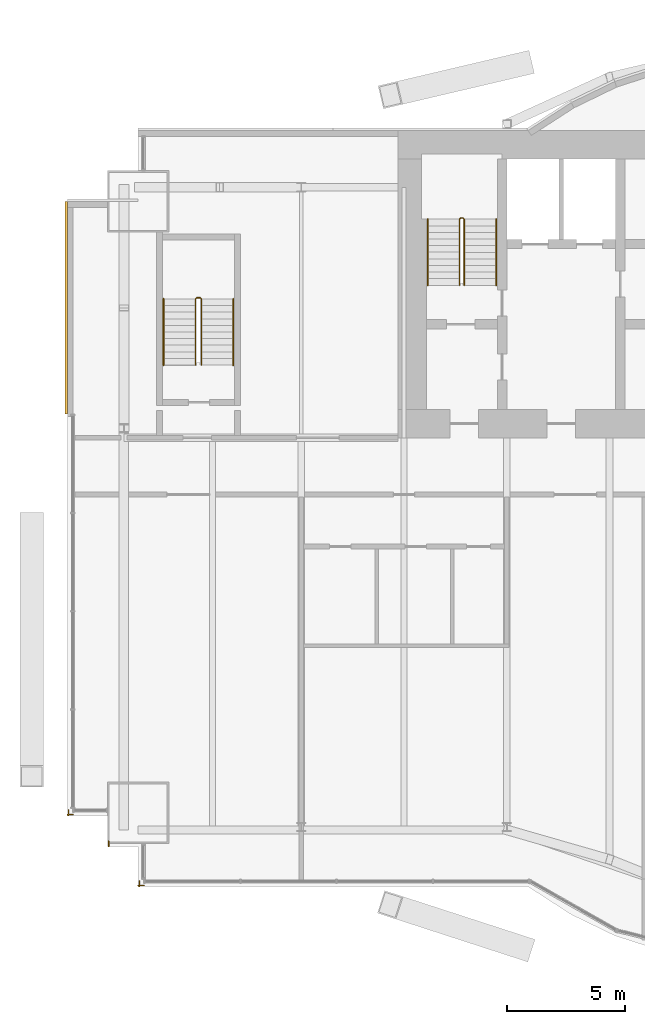
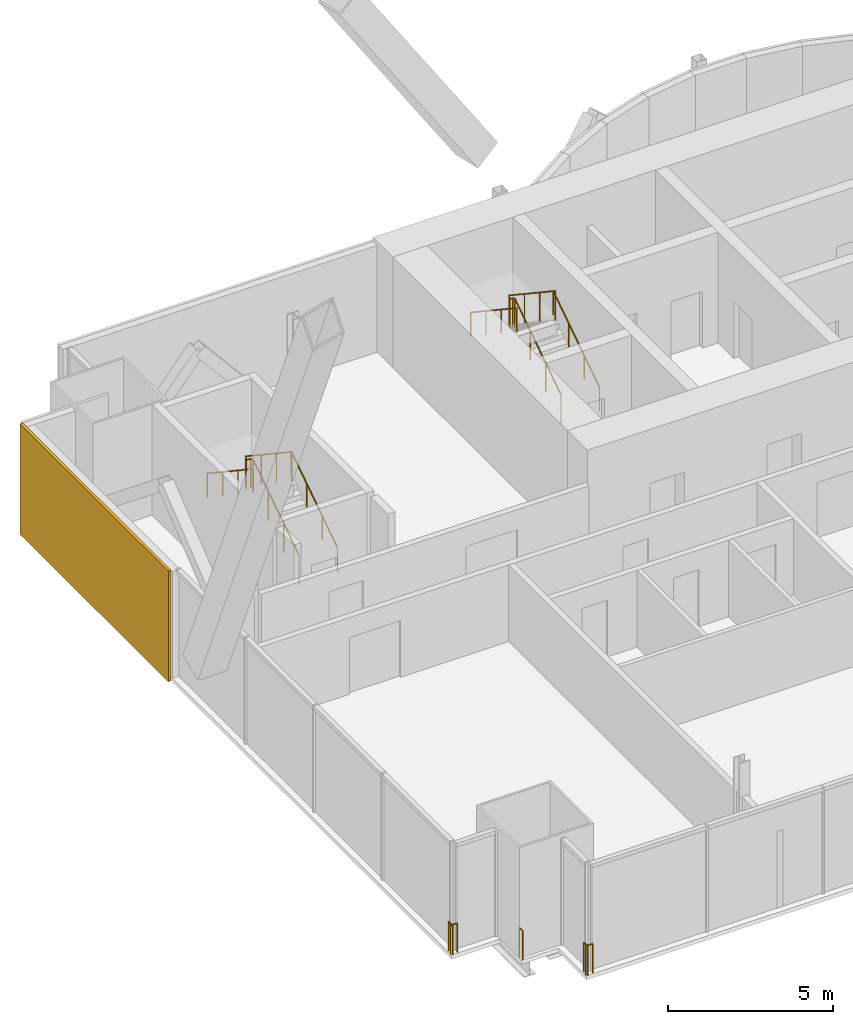
# One storey, part 22 of 24: 9 railings, 1 covering.
"""IFC4 building model written with IfcOpenShell, lengths in metres."""

import ifcopenshell
import ifcopenshell.guid

model = None  # the IFC model being written
_history = None  # IfcOwnerHistory: only IFC2X3 demands one
_inside = {}  # id of a spatial element -> (the spatial element, [elements in it])
_under = {}  # id of a project, library or spatial element -> (it, [spatial elements below it])
_declared = {}  # id of a project -> (the project, [libraries it declares])
_typed = {}  # id of a type object -> (the type object, [elements of that type])
_made_of = {}  # id of a material, layer set ... -> (it, [elements and type objects made of it])


def new_model(schema):
    """Start an empty IFC model of exactly this schema.

    Asked for "IFC4X3", IfcOpenShell would pick the latest addendum, in which some entities
    have other attributes; the version numbers below select the first issue.
    IFC2X3 requires an IfcOwnerHistory on every rooted entity: one is made here for all.
    """
    global model, _history
    if schema == "IFC4X3":
        model = ifcopenshell.file(schema_version=(4, 3, 0, 0))
    else:
        model = ifcopenshell.file(schema=schema)
    _inside.clear()
    _under.clear()
    _declared.clear()
    _typed.clear()
    _made_of.clear()
    _history = None
    if model.schema == "IFC2X3":
        org = make("IfcOrganization", Name="unknown")
        user = make(
            "IfcPersonAndOrganization",
            ThePerson=make("IfcPerson", FamilyName="unknown"),
            TheOrganization=org,
        )
        app = make(
            "IfcApplication",
            ApplicationDeveloper=org,
            Version="unknown",
            ApplicationFullName="unknown",
            ApplicationIdentifier="unknown",
        )
        _history = make(
            "IfcOwnerHistory",
            OwningUser=user,
            OwningApplication=app,
            ChangeAction="ADDED",
            CreationDate=0,
        )
    return model


def make(cls, **values):
    """One entity of the class cls with the attributes given. An attribute that is None is left unset."""
    return model.create_entity(
        cls, **{name: value for name, value in values.items() if value is not None}
    )


def rooted(cls, **values):
    """An entity with a GlobalId (a new one), such as an element, a storey or a relation."""
    return make(cls, GlobalId=ifcopenshell.guid.new(), OwnerHistory=_history, **values)


def si_unit(unit_type, name, prefix=None):
    """IfcSIUnit, for example si_unit("LENGTHUNIT", "METRE", prefix="MILLI")."""
    return make("IfcSIUnit", UnitType=unit_type, Prefix=prefix, Name=name)


def assignment(units):
    """IfcUnitAssignment: the units of a project."""
    return None if units is None else make("IfcUnitAssignment", Units=units)


def point(xyz):
    """IfcCartesianPoint."""
    return None if xyz is None else make("IfcCartesianPoint", Coordinates=xyz)


def direction(xyz):
    """IfcDirection."""
    return None if xyz is None else make("IfcDirection", DirectionRatios=xyz)


def frame(location, z_axis=None, x_axis=None):
    """IfcAxis2Placement3D, a coordinate frame: its origin and axes. An axis left out is left unset."""
    return make(
        "IfcAxis2Placement3D",
        Location=point(location),
        Axis=direction(z_axis),
        RefDirection=direction(x_axis),
    )


def frame_2d(location, x_axis=None):
    """IfcAxis2Placement2D, a coordinate frame in the plane: its origin and x axis."""
    return make(
        "IfcAxis2Placement2D", Location=point(location), RefDirection=direction(x_axis)
    )


def origin():
    """The frame at (0, 0, 0) with its axes left unset."""
    return frame((0.0, 0.0, 0.0))


def origin_2d():
    """The frame at (0, 0) in the plane with its x axis left unset."""
    return frame_2d((0.0, 0.0))


def place(relative_to, where):
    """IfcLocalPlacement: puts the frame where relative to a parent placement (None: the world)."""
    return make(
        "IfcLocalPlacement", PlacementRelTo=relative_to, RelativePlacement=where
    )


def context(
    kind, dimensions, precision=None, world=None, true_north=None, identifier=None
):
    """IfcGeometricRepresentationContext, for example the 3D "Model" context."""
    return make(
        "IfcGeometricRepresentationContext",
        ContextIdentifier=identifier,
        ContextType=kind,
        CoordinateSpaceDimension=dimensions,
        Precision=precision,
        WorldCoordinateSystem=world,
        TrueNorth=true_north,
    )


def subcontext(parent, identifier, kind, view, scale=None):
    """IfcGeometricRepresentationSubContext, for example "Body" below "Model"."""
    return make(
        "IfcGeometricRepresentationSubContext",
        ContextIdentifier=identifier,
        ContextType=kind,
        ParentContext=parent,
        TargetScale=scale,
        TargetView=view,
    )


def project(units=None, contexts=None):
    """IfcProject with its units and contexts."""
    return rooted(
        "IfcProject",
        Name="project",
        RepresentationContexts=contexts,
        UnitsInContext=assignment(units),
    )


def spatial(cls, under=None, at=None, **own):
    """A site, building, storey or space (cls), placed at a placement, below another one or the project."""
    s = rooted(cls, ObjectPlacement=at, **own)
    if under is not None:
        _under.setdefault(under.id(), (under, []))[1].append(s)
    return s


def profile(cls, at=None, kind="AREA", **sizes):
    """A parametric profile (cls). Its sizes go by their IFC names, for example OverallWidth=200.0."""
    return make(cls, ProfileType=kind, Position=at, **sizes)


def rectangle(**sizes):
    """IfcRectangleProfileDef."""
    return profile("IfcRectangleProfileDef", **sizes)


def circle(**sizes):
    """IfcCircleProfileDef."""
    return profile("IfcCircleProfileDef", **sizes)


def extrude(swept, where, along, depth):
    """IfcExtrudedAreaSolid: the profile swept, set in the frame where, extruded along a direction by depth."""
    return make(
        "IfcExtrudedAreaSolid",
        SweptArea=swept,
        Position=where,
        ExtrudedDirection=direction(along),
        Depth=depth,
    )


def shape(context_of_items, identifier, shape_type, items):
    """IfcShapeRepresentation: the items that make up one representation, for example the "Body"."""
    return make(
        "IfcShapeRepresentation",
        ContextOfItems=context_of_items,
        RepresentationIdentifier=identifier,
        RepresentationType=shape_type,
        Items=items,
    )


def material(Name=None, Category=None):
    """IfcMaterial."""
    return make("IfcMaterial", Name=Name, Category=Category)


def layer(
    of_material, thickness, ventilated=None, Name=None, Category=None, Priority=None
):
    """IfcMaterialLayer: one layer of a wall or slab, of a material (None: an air gap)."""
    return make(
        "IfcMaterialLayer",
        Material=of_material,
        LayerThickness=thickness,
        IsVentilated=ventilated,
        Name=Name,
        Category=Category,
        Priority=Priority,
    )


def layer_set(layers, Name=None):
    """IfcMaterialLayerSet."""
    return make("IfcMaterialLayerSet", MaterialLayers=layers, LayerSetName=Name)


def made_of(thing, what):
    """Note that an element or type object is made of a material, layer set ...; save() writes the relation."""
    if what is not None:
        _made_of.setdefault(what.id(), (what, []))[1].append(thing)
    return thing


def type_object(cls, material=None, **own):
    """A type object (cls), such as IfcWallType, which elements share."""
    return made_of(rooted(cls, **own), material)


def element(
    cls,
    number,
    at=None,
    inside=None,
    cuts=None,
    type_object=None,
    material=None,
    context=None,
    identifier="Body",
    shape_type=None,
    held_by="IfcProductDefinitionShape",
    body=None,
    shapes=None,
    **own,
):
    """One element of the class cls, such as IfcWall. Its Tag is "e" and its number.

    at: its placement. inside: the storey or other place that contains it. cuts: it is an
    opening in that element (IfcRelVoidsElement). A single representation is given by context,
    identifier, shape_type and body (its items); several are given by shapes. held_by: the class
    of the entity that holds the representations. save() writes the other relations.
    """
    e = rooted(cls, Tag="e%d" % number, ObjectPlacement=at, **own)
    if body is not None:
        shapes = [shape(context, identifier, shape_type, body)]
    if shapes is not None:
        e.Representation = make(held_by, Representations=shapes)
    if inside is not None:
        _inside.setdefault(inside.id(), (inside, []))[1].append(e)
    if cuts is not None:
        rooted(
            "IfcRelVoidsElement", RelatingBuildingElement=cuts, RelatedOpeningElement=e
        )
    if type_object is not None:
        _typed.setdefault(type_object.id(), (type_object, []))[1].append(e)
    return made_of(e, material)


def aggregate(whole, parts):
    """IfcRelAggregates: a whole, such as a stair, and the parts it consists of."""
    return rooted("IfcRelAggregates", RelatingObject=whole, RelatedObjects=parts)


def save(model, path):
    """Write the relations noted so far, then the file.

    IfcRelAggregates (storeys below a building ...), IfcRelContainedInSpatialStructure (elements
    in a storey), IfcRelDefinesByType, IfcRelAssociatesMaterial and IfcRelDeclares: one each for
    every whole, place, type object, material and project.
    """
    for whole, parts in _under.values():
        aggregate(whole, parts)
    for where, things in _inside.values():
        rooted(
            "IfcRelContainedInSpatialStructure",
            RelatedElements=things,
            RelatingStructure=where,
        )
    for kind, things in _typed.values():
        rooted("IfcRelDefinesByType", RelatedObjects=things, RelatingType=kind)
    for what, things in _made_of.values():
        rooted("IfcRelAssociatesMaterial", RelatedObjects=things, RelatingMaterial=what)
    for by, libraries in _declared.values():
        rooted("IfcRelDeclares", RelatingContext=by, RelatedDefinitions=libraries)
    model.write(path)


model = new_model("IFC4")

# Units and contexts
model_context = context("Model", 3, precision=1e-05, world=origin(), true_north=direction((0.0, 1.0)))
body_context = subcontext(model_context, "Body", "Model", "MODEL_VIEW")
ifc_project = project(units=[si_unit("LENGTHUNIT", "METRE"), si_unit("AREAUNIT", "SQUARE_METRE"), si_unit("VOLUMEUNIT", "CUBIC_METRE"), si_unit("PLANEANGLEUNIT", "RADIAN"), si_unit("MASSUNIT", "GRAM", prefix="KILO")], contexts=[model_context])

# Site, building, storey
site_placement = place(None, origin())
site = spatial("IfcSite", under=ifc_project, at=site_placement, CompositionType="ELEMENT")
building_placement = place(site_placement, origin())
building = spatial("IfcBuilding", under=site, at=building_placement, Name="Bicima Exchange Tower", CompositionType="ELEMENT")
storey_placement = place(building_placement, frame((0.0, 0.0, 211.39990234375)))
storey = spatial("IfcBuildingStorey", under=building, at=storey_placement, Name="L47", CompositionType="ELEMENT", Elevation=211.39990234375)

# Covering
ifc_material_1 = material(Name="Bronze metal cladding")
ifc_layer_1 = layer(ifc_material_1, 0.004)
ifc_material_2 = material(Name="Ventilated cavity")
ifc_layer_2 = layer(ifc_material_2, 0.06)
ifc_material_3 = material(Name="Galvanised steel rail and mineral wool", Category="steel")
ifc_layer_3 = layer(ifc_material_3, 0.036)
ifc_layer_set = layer_set([ifc_layer_1, ifc_layer_2, ifc_layer_3], Name="Ventilated cavity")
covering_type = type_object("IfcCoveringType", Name="Bronze metal cladding panel 100", PredefinedType="CLADDING", material=ifc_layer_set)
covering_placement = place(storey_placement, frame((-36.050048828125, -7.5, -0.14990234375), z_axis=(0.0, 0.0, 1.0), x_axis=(0.0, -1.0, 0.0)))
element("IfcCovering", 1, at=covering_placement, inside=storey, type_object=covering_type, Name="Bronze cladding L47 23.1", PredefinedType="CLADDING", context=body_context, shape_type="SweptSolid", body=[
    extrude(rectangle(XDim=9.0, YDim=0.10009765625, at=origin_2d()), origin(), (0.0, 0.0, 1.0), 4.10009765625),
])

# Railings
ifc_material_4 = material(Name="Stainless steel and bonded safety glass", Category="steel")
railing_type_1 = type_object("IfcRailingType", Name="Edge guard 1100", PredefinedType="GUARDRAIL", material=ifc_material_4)
railing_1_placement = place(storey_placement, frame((-35.757080078125, -28.946044921875, 0.0)))
element("IfcRailing", 2, at=railing_1_placement, inside=storey, type_object=railing_type_1, Name="Edge guard L47 237", PredefinedType="GUARDRAIL", context=body_context, shape_type="SweptSolid", body=[
    extrude(circle(Radius=0.02392578125, at=origin_2d()), frame((0.0, 0.0, 1.076171875), z_axis=(-1.0, 0.0, 0.0), x_axis=(0.0, -1.0, 0.0)), (0.0, 0.0, 1.0), 0.242919921875),
    extrude(circle(Radius=0.02392578125, at=origin_2d()), frame((-0.242919921875, 0.0, 1.076171875), z_axis=(0.707106781187, -0.707106781187, 0.0), x_axis=(0.707106781187, 0.707106781187, 0.0)), (0.0, 0.0, 1.0), 0.07080078125),
    extrude(circle(Radius=0.02392578125, at=origin_2d()), frame((-0.19287109375, -0.050048828125, 1.076171875), z_axis=(0.0, 1.0, 0.0), x_axis=(-1.0, 0.0, 0.0)), (0.0, 0.0, 1.0), 0.25),
    extrude(circle(Radius=0.02099609375, at=origin_2d()), origin(), (0.0, 0.0, 1.0), 1.052001953125),
    extrude(circle(Radius=0.02099609375, at=origin_2d()), frame((-0.242919921875, 0.0, 0.0)), (0.0, 0.0, 1.0), 1.052001953125),
    extrude(circle(Radius=0.02099609375, at=origin_2d()), frame((-0.19287109375, -0.050048828125, 0.0)), (0.0, 0.0, 1.0), 1.052001953125),
    extrude(circle(Radius=0.02099609375, at=origin_2d()), frame((-0.19287109375, 0.199951171875, 0.0)), (0.0, 0.0, 1.0), 1.052001953125),
])
railing_2_placement = place(storey_placement, frame((-32.75, -31.946044921875, 0.0)))
element("IfcRailing", 3, at=railing_2_placement, inside=storey, type_object=railing_type_1, Name="Edge guard L47 241", PredefinedType="GUARDRAIL", context=body_context, shape_type="SweptSolid", body=[
    extrude(circle(Radius=0.02392578125, at=origin_2d()), frame((0.0, 0.0, 1.076171875), z_axis=(-1.0, 0.0, 0.0), x_axis=(0.0, -1.0, 0.0)), (0.0, 0.0, 1.0), 0.25),
    extrude(circle(Radius=0.02392578125, at=origin_2d()), frame((-0.25, 0.0, 1.076171875), z_axis=(0.707106781187, -0.707106781187, 0.0), x_axis=(0.707106781187, 0.707106781187, 0.0)), (0.0, 0.0, 1.0), 0.07080078125),
    extrude(circle(Radius=0.02392578125, at=origin_2d()), frame((-0.199951171875, -0.050048828125, 1.076171875), z_axis=(0.0, 1.0, 0.0), x_axis=(-1.0, 0.0, 0.0)), (0.0, 0.0, 1.0), 0.2431640625),
    extrude(circle(Radius=0.02099609375, at=origin_2d()), origin(), (0.0, 0.0, 1.0), 1.052001953125),
    extrude(circle(Radius=0.02099609375, at=origin_2d()), frame((-0.25, 0.0, 0.0)), (0.0, 0.0, 1.0), 1.052001953125),
    extrude(circle(Radius=0.02099609375, at=origin_2d()), frame((-0.199951171875, -0.050048828125, 0.0)), (0.0, 0.0, 1.0), 1.052001953125),
    extrude(circle(Radius=0.02099609375, at=origin_2d()), frame((-0.199951171875, 0.193115234375, 0.0)), (0.0, 0.0, 1.0), 1.052001953125),
])
railing_3_placement = place(storey_placement, frame((-34.25, -30.2958984375, 0.0)))
element("IfcRailing", 4, at=railing_3_placement, inside=storey, type_object=railing_type_1, Name="Edge guard L47 242", PredefinedType="GUARDRAIL", context=body_context, shape_type="SweptSolid", body=[
    extrude(circle(Radius=0.02392578125, at=origin_2d()), frame((0.0, 0.0, 1.076171875), z_axis=(0.0, 1.0, 0.0), x_axis=(-1.0, 0.0, 0.0)), (0.0, 0.0, 1.0), 0.216796875),
    extrude(circle(Radius=0.02099609375, at=origin_2d()), origin(), (0.0, 0.0, 1.0), 1.052001953125),
    extrude(circle(Radius=0.02099609375, at=origin_2d()), frame((0.0, 0.216796875, 0.0)), (0.0, 0.0, 1.0), 1.052001953125),
])
ifc_material_5 = material(Name="Stainless steel", Category="steel")
railing_type_2 = type_object("IfcRailingType", Name="Stair guard 1100", PredefinedType="GUARDRAIL", material=ifc_material_5)
railing_4_placement = place(storey_placement, frame((-19.199951171875, -6.550048828125, 0.1865234375)))
element("IfcRailing", 5, at=railing_4_placement, inside=storey, type_object=railing_type_2, Name="L47 ST-W stair guard 1", PredefinedType="GUARDRAIL", context=body_context, shape_type="SweptSolid", body=[
    extrude(circle(Radius=0.02392578125, at=origin_2d()), frame((0.0, 0.0, 1.076171875), z_axis=(0.0, 0.832485552168, 0.554046753832), x_axis=(-1.0, 0.0, 0.0)), (0.0, 0.0, 1.0), 3.363525390625),
    extrude(circle(Radius=0.02392578125, at=origin_2d()), frame((0.0, 2.800048828125, 2.939453125), z_axis=(-0.707106781187, 0.707106781187, 0.0), x_axis=(-0.707106781187, -0.707106781187, 0.0)), (0.0, 0.0, 1.0), 0.07080078125),
    extrude(circle(Radius=0.02392578125, at=origin_2d()), frame((-0.050048828125, 2.85009765625, 2.939453125), z_axis=(-1.0, 0.0, 0.0), x_axis=(0.0, -1.0, 0.0)), (0.0, 0.0, 1.0), 0.10009765625),
    extrude(circle(Radius=0.02392578125, at=origin_2d()), frame((-0.150146484375, 2.85009765625, 2.939453125), z_axis=(-0.249722437352, -0.250946566947, 0.935235010476), x_axis=(0.708833529934, -0.705375805398, 0.0)), (0.0, 0.0, 1.0), 0.199462890625),
    extrude(circle(Radius=0.02392578125, at=origin_2d()), frame((-0.199951171875, 2.800048828125, 3.1259765625), z_axis=(0.0, -0.832485552168, 0.554046753832), x_axis=(1.0, 0.0, 0.0)), (0.0, 0.0, 1.0), 3.363525390625),
    extrude(circle(Radius=0.02099609375, at=origin_2d()), origin(), (0.0, 0.0, 1.0), 1.052001953125),
    extrude(circle(Radius=0.02099609375, at=origin_2d()), frame((0.0, 0.933349609375, 0.62109375)), (0.0, 0.0, 1.0), 1.052001953125),
    extrude(circle(Radius=0.02099609375, at=origin_2d()), frame((0.0, 1.86669921875, 1.242431640625)), (0.0, 0.0, 1.0), 1.052001953125),
    extrude(circle(Radius=0.02099609375, at=origin_2d()), frame((0.0, 2.800048828125, 1.863525390625)), (0.0, 0.0, 1.0), 1.052001953125),
    extrude(circle(Radius=0.02099609375, at=origin_2d()), frame((-0.050048828125, 2.85009765625, 1.863525390625)), (0.0, 0.0, 1.0), 1.052001953125),
    extrude(circle(Radius=0.02099609375, at=origin_2d()), frame((-0.150146484375, 2.85009765625, 1.863525390625)), (0.0, 0.0, 1.0), 1.052001953125),
    extrude(circle(Radius=0.02099609375, at=origin_2d()), frame((-0.199951171875, 2.800048828125, 2.050048828125)), (0.0, 0.0, 1.0), 1.052001953125),
    extrude(circle(Radius=0.02099609375, at=origin_2d()), frame((-0.199951171875, 1.86669921875, 2.671142578125)), (0.0, 0.0, 1.0), 1.052001953125),
    extrude(circle(Radius=0.02099609375, at=origin_2d()), frame((-0.199951171875, 0.933349609375, 3.29248046875)), (0.0, 0.0, 1.0), 1.052001953125),
    extrude(circle(Radius=0.02099609375, at=origin_2d()), frame((-0.199951171875, 0.0, 3.91357421875)), (0.0, 0.0, 1.0), 1.052001953125),
])
railing_5_placement = place(storey_placement, frame((-30.324951171875, -9.925048828125, 0.1865234375)))
element("IfcRailing", 6, at=railing_5_placement, inside=storey, type_object=railing_type_2, Name="L47 ST-WW stair guard 1", PredefinedType="GUARDRAIL", context=body_context, shape_type="SweptSolid", body=[
    extrude(circle(Radius=0.02392578125, at=origin_2d()), frame((0.0, 0.0, 1.076171875), z_axis=(0.0, 0.832485552168, 0.554046753832), x_axis=(-1.0, 0.0, 0.0)), (0.0, 0.0, 1.0), 3.363525390625),
    extrude(circle(Radius=0.02392578125, at=origin_2d()), frame((0.0, 2.800048828125, 2.939453125), z_axis=(-0.707106781187, 0.707106781187, 0.0), x_axis=(-0.707106781187, -0.707106781187, 0.0)), (0.0, 0.0, 1.0), 0.07080078125),
    extrude(circle(Radius=0.02392578125, at=origin_2d()), frame((-0.050048828125, 2.85009765625, 2.939453125), z_axis=(-1.0, 0.0, 0.0), x_axis=(0.0, -1.0, 0.0)), (0.0, 0.0, 1.0), 0.14990234375),
    extrude(circle(Radius=0.02392578125, at=origin_2d()), frame((-0.199951171875, 2.85009765625, 2.939453125), z_axis=(-0.250869701741, -0.250869701741, 0.934948546978), x_axis=(0.707106781187, -0.707106781187, 0.0)), (0.0, 0.0, 1.0), 0.199462890625),
    extrude(circle(Radius=0.02392578125, at=origin_2d()), frame((-0.25, 2.800048828125, 3.1259765625), z_axis=(0.0, -0.832485552168, 0.554046753832), x_axis=(1.0, 0.0, 0.0)), (0.0, 0.0, 1.0), 3.363525390625),
    extrude(circle(Radius=0.02099609375, at=origin_2d()), origin(), (0.0, 0.0, 1.0), 1.052001953125),
    extrude(circle(Radius=0.02099609375, at=origin_2d()), frame((0.0, 0.933349609375, 0.62109375)), (0.0, 0.0, 1.0), 1.052001953125),
    extrude(circle(Radius=0.02099609375, at=origin_2d()), frame((0.0, 1.86669921875, 1.242431640625)), (0.0, 0.0, 1.0), 1.052001953125),
    extrude(circle(Radius=0.02099609375, at=origin_2d()), frame((0.0, 2.800048828125, 1.863525390625)), (0.0, 0.0, 1.0), 1.052001953125),
    extrude(circle(Radius=0.02099609375, at=origin_2d()), frame((-0.050048828125, 2.85009765625, 1.863525390625)), (0.0, 0.0, 1.0), 1.052001953125),
    extrude(circle(Radius=0.02099609375, at=origin_2d()), frame((-0.199951171875, 2.85009765625, 1.863525390625)), (0.0, 0.0, 1.0), 1.052001953125),
    extrude(circle(Radius=0.02099609375, at=origin_2d()), frame((-0.25, 2.800048828125, 2.050048828125)), (0.0, 0.0, 1.0), 1.052001953125),
    extrude(circle(Radius=0.02099609375, at=origin_2d()), frame((-0.25, 1.86669921875, 2.671142578125)), (0.0, 0.0, 1.0), 1.052001953125),
    extrude(circle(Radius=0.02099609375, at=origin_2d()), frame((-0.25, 0.933349609375, 3.29248046875)), (0.0, 0.0, 1.0), 1.052001953125),
    extrude(circle(Radius=0.02099609375, at=origin_2d()), frame((-0.25, 0.0, 3.91357421875)), (0.0, 0.0, 1.0), 1.052001953125),
])
railing_type_3 = type_object("IfcRailingType", Name="Stair handrail 900", PredefinedType="HANDRAIL", material=ifc_material_5)
railing_6_placement = place(storey_placement, frame((-17.85009765625, -6.550048828125, 0.1865234375)))
element("IfcRailing", 7, at=railing_6_placement, inside=storey, type_object=railing_type_3, Name="L47 ST-W stair handrail 1", PredefinedType="HANDRAIL", context=body_context, shape_type="SweptSolid", body=[
    extrude(circle(Radius=0.02392578125, at=origin_2d()), frame((0.0, 0.0, 0.8759765625), z_axis=(0.0, 0.832485552168, 0.554046753832), x_axis=(-1.0, 0.0, 0.0)), (0.0, 0.0, 1.0), 3.363525390625),
    extrude(circle(Radius=0.02099609375, at=origin_2d()), origin(), (0.0, 0.0, 1.0), 0.851806640625),
    extrude(circle(Radius=0.02099609375, at=origin_2d()), frame((0.0, 0.933349609375, 0.62109375)), (0.0, 0.0, 1.0), 0.851806640625),
    extrude(circle(Radius=0.02099609375, at=origin_2d()), frame((0.0, 1.86669921875, 1.242431640625)), (0.0, 0.0, 1.0), 0.851806640625),
    extrude(circle(Radius=0.02099609375, at=origin_2d()), frame((0.0, 2.800048828125, 1.863525390625)), (0.0, 0.0, 1.0), 0.851806640625),
])
railing_7_placement = place(storey_placement, frame((-20.75, -3.75, 2.27685546875)))
element("IfcRailing", 8, at=railing_7_placement, inside=storey, type_object=railing_type_3, Name="L47 ST-W stair handrail 2", PredefinedType="HANDRAIL", context=body_context, shape_type="SweptSolid", body=[
    extrude(circle(Radius=0.02392578125, at=origin_2d()), frame((0.0, 0.0, 0.8759765625), z_axis=(0.0, -0.832485552168, 0.554046753832), x_axis=(1.0, 0.0, 0.0)), (0.0, 0.0, 1.0), 3.363525390625),
    extrude(circle(Radius=0.02099609375, at=origin_2d()), origin(), (0.0, 0.0, 1.0), 0.851806640625),
    extrude(circle(Radius=0.02099609375, at=origin_2d()), frame((0.0, -0.933349609375, 0.62109375)), (0.0, 0.0, 1.0), 0.851806640625),
    extrude(circle(Radius=0.02099609375, at=origin_2d()), frame((0.0, -1.86669921875, 1.242431640625)), (0.0, 0.0, 1.0), 0.851806640625),
    extrude(circle(Radius=0.02099609375, at=origin_2d()), frame((0.0, -2.800048828125, 1.863525390625)), (0.0, 0.0, 1.0), 0.851806640625),
])
railing_8_placement = place(storey_placement, frame((-28.97509765625, -9.925048828125, 0.1865234375)))
element("IfcRailing", 9, at=railing_8_placement, inside=storey, type_object=railing_type_3, Name="L47 ST-WW stair handrail 1", PredefinedType="HANDRAIL", context=body_context, shape_type="SweptSolid", body=[
    extrude(circle(Radius=0.02392578125, at=origin_2d()), frame((0.0, 0.0, 0.8759765625), z_axis=(0.0, 0.832485552168, 0.554046753832), x_axis=(-1.0, 0.0, 0.0)), (0.0, 0.0, 1.0), 3.363525390625),
    extrude(circle(Radius=0.02099609375, at=origin_2d()), origin(), (0.0, 0.0, 1.0), 0.851806640625),
    extrude(circle(Radius=0.02099609375, at=origin_2d()), frame((0.0, 0.933349609375, 0.62109375)), (0.0, 0.0, 1.0), 0.851806640625),
    extrude(circle(Radius=0.02099609375, at=origin_2d()), frame((0.0, 1.86669921875, 1.242431640625)), (0.0, 0.0, 1.0), 0.851806640625),
    extrude(circle(Radius=0.02099609375, at=origin_2d()), frame((0.0, 2.800048828125, 1.863525390625)), (0.0, 0.0, 1.0), 0.851806640625),
])
railing_9_placement = place(storey_placement, frame((-31.925048828125, -7.125, 2.27685546875)))
element("IfcRailing", 10, at=railing_9_placement, inside=storey, type_object=railing_type_3, Name="L47 ST-WW stair handrail 2", PredefinedType="HANDRAIL", context=body_context, shape_type="SweptSolid", body=[
    extrude(circle(Radius=0.02392578125, at=origin_2d()), frame((0.0, 0.0, 0.8759765625), z_axis=(0.0, -0.832485552168, 0.554046753832), x_axis=(1.0, 0.0, 0.0)), (0.0, 0.0, 1.0), 3.363525390625),
    extrude(circle(Radius=0.02099609375, at=origin_2d()), origin(), (0.0, 0.0, 1.0), 0.851806640625),
    extrude(circle(Radius=0.02099609375, at=origin_2d()), frame((0.0, -0.933349609375, 0.62109375)), (0.0, 0.0, 1.0), 0.851806640625),
    extrude(circle(Radius=0.02099609375, at=origin_2d()), frame((0.0, -1.86669921875, 1.242431640625)), (0.0, 0.0, 1.0), 0.851806640625),
    extrude(circle(Radius=0.02099609375, at=origin_2d()), frame((0.0, -2.800048828125, 1.863525390625)), (0.0, 0.0, 1.0), 0.851806640625),
])

save(model, "model.ifc")
